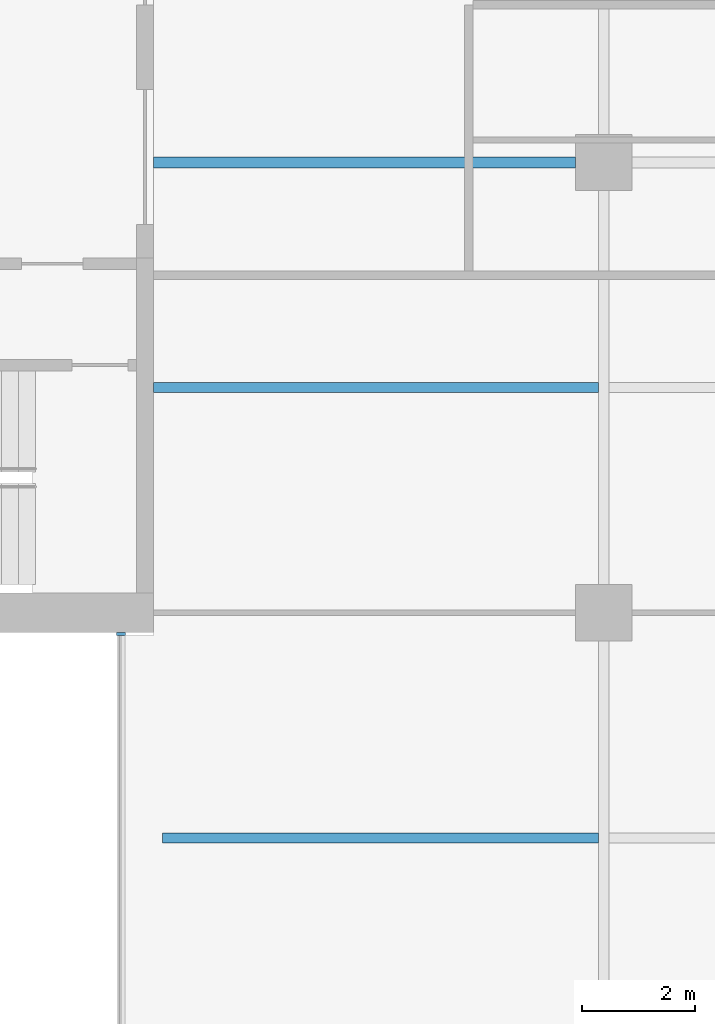
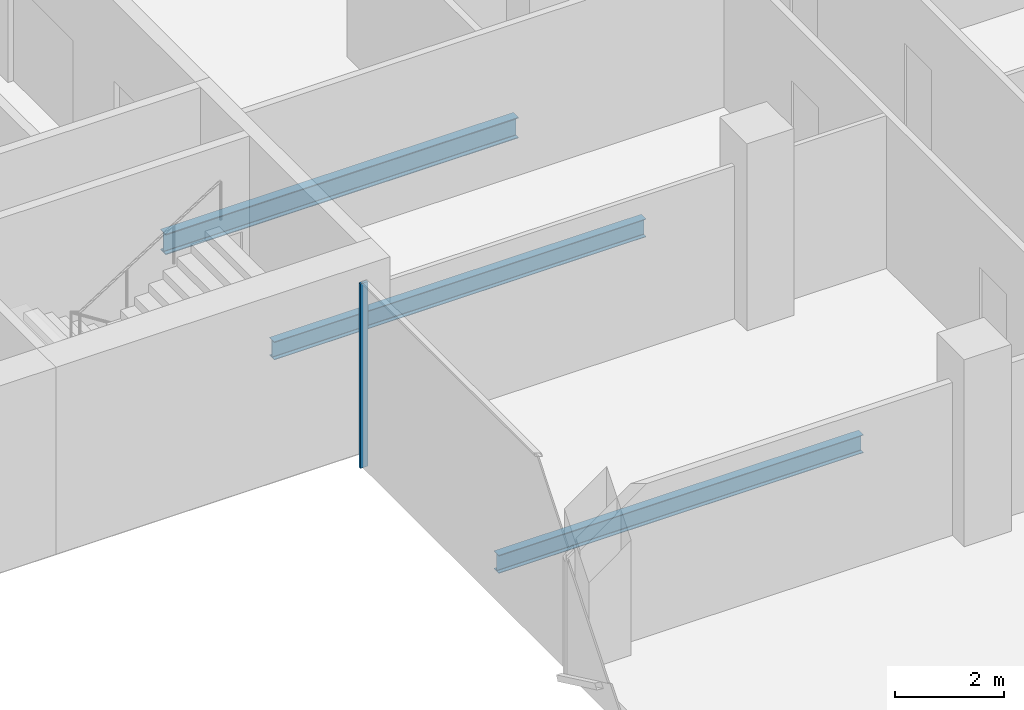
# One storey, part 4 of 24: 3 beams, 1 member, 1 element without a shape of its own.
"""IFC4 building model written with IfcOpenShell, lengths in metres."""

from ifc_helpers import new_model, si_unit, direction, frame, origin, origin_2d, place, context, subcontext, project, spatial, rectangle, i_section, extrude, material, material_profile, profile_set, type_object, element, aggregate, save


model = new_model("IFC4")

# Units and contexts
model_context = context("Model", 3, precision=1e-05, world=origin(), true_north=direction((0.0, 1.0)))
body_context = subcontext(model_context, "Body", "Model", "MODEL_VIEW")
ifc_project = project(units=[si_unit("LENGTHUNIT", "METRE"), si_unit("AREAUNIT", "SQUARE_METRE"), si_unit("VOLUMEUNIT", "CUBIC_METRE"), si_unit("PLANEANGLEUNIT", "RADIAN"), si_unit("MASSUNIT", "GRAM", prefix="KILO")], contexts=[model_context])

# Site, building, storey
site_placement = place(None, origin())
site = spatial("IfcSite", under=ifc_project, at=site_placement, CompositionType="ELEMENT")
building_placement = place(site_placement, origin())
building = spatial("IfcBuilding", under=site, at=building_placement, Name="Crosswind Convention Tower", CompositionType="ELEMENT")
storey_placement = place(building_placement, frame((0.0, 0.0, 112.699951171875)))
storey = spatial("IfcBuildingStorey", under=building, at=storey_placement, Name="L22", CompositionType="ELEMENT", Elevation=112.699951171875)

# Beam
ifc_material_1 = material(Name="Steel S355", Category="steel")
ifc_material_profile_1 = material_profile(ifc_material_1, i_section(OverallWidth=0.19189453125, OverallDepth=0.463623046875, WebThickness=0.010498046875, FlangeThickness=0.017578125, FilletRadius=0.01025390625, at=origin_2d()), Name="UB 457x191x90")
ifc_profile_set_1 = profile_set([ifc_material_profile_1], Name="Steel S355")
beam_type_1 = type_object("IfcBeamType", Name="Girder at core wall UB 457x191x90", PredefinedType="BEAM", material=ifc_profile_set_1)
beam_1_placement = place(storey_placement, frame((113.0, 96.0, -0.53173828125), z_axis=(1.0, 0.0, 0.0), x_axis=(0.0, 1.0, 0.0)))
element("IfcBeam", 1, at=beam_1_placement, inside=storey, type_object=beam_type_1, Name="B24 L22 girder at core wall 3", PredefinedType="BEAM", context=body_context, shape_type="SweptSolid", body=[
    extrude(i_section(OverallWidth=0.19189453125, OverallDepth=0.463623046875, WebThickness=0.010498046875, FlangeThickness=0.017578125, FilletRadius=0.01025390625, at=origin_2d()), origin(), (0.0, 0.0, 1.0), 7.5),
])

# Curtain wall, member
ifc_material_2 = material(Name="Aluminium unitised curtain wall", Category="aluminium")
curtain_wall_type = type_object("IfcCurtainWallType", Name="CORE END SLOT WALL 160", PredefinedType="USERDEFINED", material=ifc_material_2)
curtain_wall_placement = place(storey_placement, origin())
curtain_wall = element("IfcCurtainWall", 2, at=curtain_wall_placement, inside=storey, type_object=curtain_wall_type, Name="CW6 L22 S-W.1-1 slot", ObjectType="UNITISED", PredefinedType="USERDEFINED")
ifc_material_3 = material(Name="Aluminium mullion", Category="aluminium")
ifc_material_profile_2 = material_profile(ifc_material_3, rectangle(XDim=0.159912109375, YDim=0.050048828125, at=origin_2d()), Name="AL 160X50")
ifc_profile_set_2 = profile_set([ifc_material_profile_2], Name="Aluminium mullion")
member_type = type_object("IfcMemberType", Name="MULLION 50X160", PredefinedType="MULLION", material=ifc_profile_set_2)
member_placement = place(storey_placement, frame((112.419921875, 87.625, -0.300048828125), z_axis=(0.0, 0.0, 1.0), x_axis=(-1.0, 0.0, 0.0)))
member = element("IfcMember", 3, at=member_placement, type_object=member_type, Name="CW6 mullion 1", PredefinedType="MULLION", context=body_context, shape_type="SweptSolid", body=[
    extrude(rectangle(XDim=0.159912109375, YDim=0.050048828125, at=origin_2d()), origin(), (0.0, 0.0, 1.0), 4.150146484375),
])
aggregate(curtain_wall, [member])

# Beams
ifc_material_profile_3 = material_profile(ifc_material_1, i_section(OverallWidth=0.177734375, OverallDepth=0.406494140625, WebThickness=0.0078125, FlangeThickness=0.0126953125, FilletRadius=0.01025390625, at=origin_2d()), Name="UB 406x178x60")
ifc_profile_set_3 = profile_set([ifc_material_profile_3], Name="Steel S355")
beam_type_2 = type_object("IfcBeamType", Name="Secondary beam UB 406x178x60", PredefinedType="JOIST", material=ifc_profile_set_3)
beam_2_placement = place(storey_placement, frame((113.0, 92.0, -0.503173828125), z_axis=(1.0, 0.0, 0.0), x_axis=(0.0, 1.0, 0.0)))
element("IfcBeam", 4, at=beam_2_placement, inside=storey, type_object=beam_type_2, Name="B10 L22 secondary beam 4", PredefinedType="JOIST", context=body_context, shape_type="SweptSolid", body=[
    extrude(i_section(OverallWidth=0.177734375, OverallDepth=0.406494140625, WebThickness=0.0078125, FlangeThickness=0.0126953125, FilletRadius=0.01025390625, at=origin_2d()), origin(), (0.0, 0.0, 1.0), 7.904296875),
])
beam_3_placement = place(storey_placement, frame((113.156982421875, 84.0, -0.503173828125), z_axis=(1.0, 0.0, 0.0), x_axis=(0.0, 1.0, 0.0)))
element("IfcBeam", 5, at=beam_3_placement, inside=storey, type_object=beam_type_2, Name="B10 L22 secondary beam 9", PredefinedType="JOIST", context=body_context, shape_type="SweptSolid", body=[
    extrude(i_section(OverallWidth=0.177734375, OverallDepth=0.406494140625, WebThickness=0.0078125, FlangeThickness=0.0126953125, FilletRadius=0.01025390625, at=origin_2d()), origin(), (0.0, 0.0, 1.0), 7.747314453125),
])

save(model, "model.ifc")
